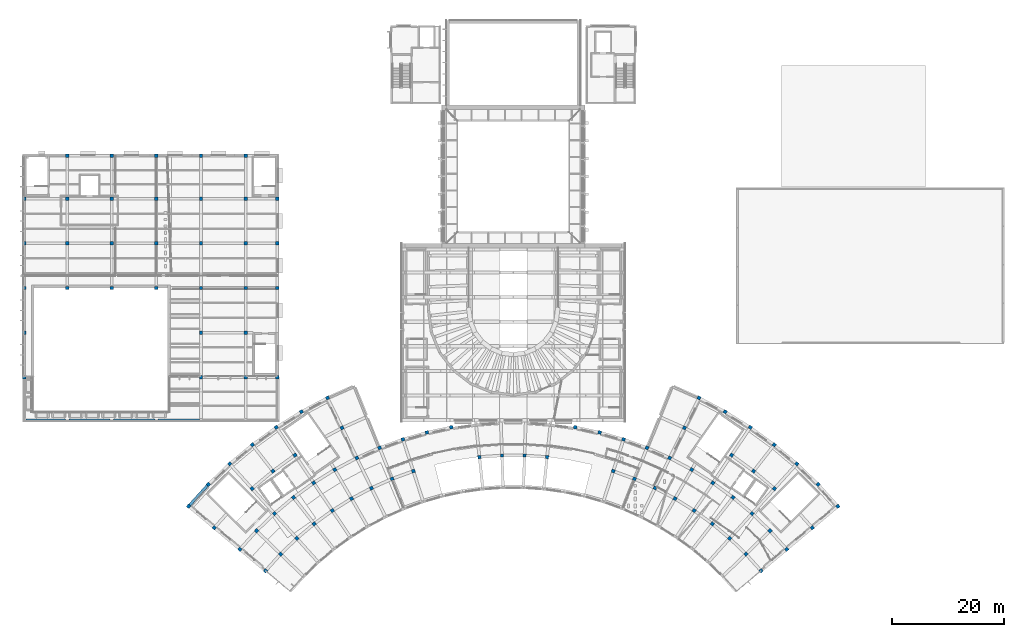
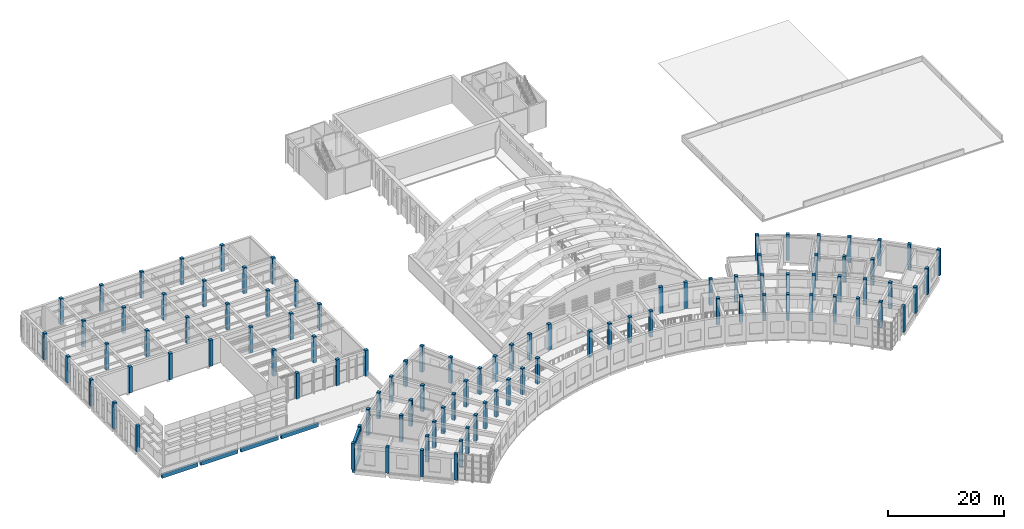
# One storey, part 1 of 94: 101 columns, 6 beams.
"""IFC4 building model written with IfcOpenShell, lengths in metres."""

from ifc_helpers import new_model, si_unit, direction, frame, origin, origin_2d, place, context, subcontext, project, spatial, rectangle, extrude, material, material_profile, profile_set, type_object, element, save


model = new_model("IFC4")

# Units and contexts
model_context = context("Model", 3, precision=1e-05, world=origin(), true_north=direction((0.0, 1.0)))
body_context = subcontext(model_context, "Body", "Model", "MODEL_VIEW")
ifc_project = project(units=[si_unit("LENGTHUNIT", "METRE"), si_unit("AREAUNIT", "SQUARE_METRE"), si_unit("VOLUMEUNIT", "CUBIC_METRE"), si_unit("PLANEANGLEUNIT", "RADIAN"), si_unit("MASSUNIT", "GRAM", prefix="KILO")], contexts=[model_context])

# Site, building, storey
site_placement = place(None, origin())
site = spatial("IfcSite", under=ifc_project, at=site_placement, CompositionType="ELEMENT")
building_placement = place(site_placement, origin())
building = spatial("IfcBuilding", under=site, at=building_placement, Name="Lunette Opera House", CompositionType="ELEMENT")
storey_placement = place(building_placement, frame((0.0, 0.0, 22.5)))
storey = spatial("IfcBuildingStorey", under=building, at=storey_placement, Name="L04", CompositionType="ELEMENT", Elevation=22.5)

# Columns
ifc_material_1 = material(Name="Concrete C35/45", Category="concrete")
ifc_material_profile_1 = material_profile(ifc_material_1, rectangle(XDim=0.60009765625, YDim=0.60009765625, at=origin_2d()), Name="RC COLUMN 600X600")
ifc_profile_set_1 = profile_set([ifc_material_profile_1], Name="Concrete C35/45")
column_type = type_object("IfcColumnType", Name="RC COLUMN 600X600", PredefinedType="COLUMN", material=ifc_profile_set_1)
for number, where, z_axis, x_axis, name in (
    (1, (51.569091796875, 37.281982421875, 0.0), (0.0, 0.0, 1.0), (0.642787609687, 0.766044443119, 0.0), "col-FC-L04-AR-M1-RL-01"),
    (2, (54.278076171875, 40.2900390625, 0.0), (0.0, 0.0, 1.0), (0.694658370459, 0.719339800339, 0.0), "col-FC-L04-AR-M1-RL-02"),
    (3, (57.18994140625, 43.10205078125, 0.0), (0.0, 0.0, 1.0), (0.743144825477, 0.669130606359, 0.0), "col-FC-L04-AR-M1-RL-03"),
    (4, (60.2919921875, 45.705078125, 0.0), (0.0, 0.0, 1.0), (0.788010753607, 0.615661475326, 0.0), "col-FC-L04-AR-M1-RL-04"),
    (5, (63.56689453125, 48.083984375, 0.0), (0.0, 0.0, 1.0), (0.829037572555, 0.559192903471, 0.0), "col-FC-L04-AR-M1-RL-05"),
    (6, (67.0, 50.22900390625, 0.0), (0.0, 0.0, 1.0), (0.866025403784, 0.5, 0.0), "col-FC-L04-AR-M1-RL-06"),
    (7, (70.573974609375, 52.1298828125, 0.0), (0.0, 0.0, 1.0), (0.898794046299, 0.438371146789, 0.0), "col-FC-L04-AR-M1-RL-07"),
    (8, (74.27294921875, 53.777099609375, 0.0), (0.0, 0.0, 1.0), (0.927183854567, 0.374606593416, 0.0), "col-FC-L04-AR-M1-RL-08"),
    (9, (78.076904296875, 55.160888671875, 0.0), (0.0, 0.0, 1.0), (0.951056516295, 0.309016994375, 0.0), "col-FC-L04-AR-M1-RL-09"),
    (10, (89.93701171875, 57.681884765625, 0.0), (0.0, 0.0, 1.0), (0.994521895368, 0.104528463268, 0.0), "col-FC-L04-AR-M1-RL-12"),
    (11, (93.97607421875, 57.965087890625, 0.0), (0.0, 0.0, 1.0), (0.999390827019, 0.034899496703, 0.0), "col-FC-L04-AR-M1-RL-13"),
    (12, (98.02392578125, 57.965087890625, 0.0), (0.0, 0.0, 1.0), (0.999390827019, -0.034899496703, 0.0), "col-FC-L04-AR-M1-RL-14"),
    (13, (102.06298828125, 57.681884765625, 0.0), (0.0, 0.0, 1.0), (0.994521895368, -0.104528463268, 0.0), "col-FC-L04-AR-M1-RL-15"),
    (14, (113.923095703125, 55.160888671875, 0.0), (0.0, 0.0, 1.0), (0.951056516295, -0.309016994375, 0.0), "col-FC-L04-AR-M1-RL-18"),
    (15, (117.72705078125, 53.777099609375, 0.0), (0.0, 0.0, 1.0), (0.927183854567, -0.374606593416, 0.0), "col-FC-L04-AR-M1-RL-19"),
    (16, (121.426025390625, 52.1298828125, 0.0), (0.0, 0.0, 1.0), (0.898794046299, -0.438371146789, 0.0), "col-FC-L04-AR-M1-RL-20"),
    (17, (125.0, 50.22900390625, 0.0), (0.0, 0.0, 1.0), (0.866025403784, -0.5, 0.0), "col-FC-L04-AR-M1-RL-21"),
    (18, (128.43310546875, 48.083984375, 0.0), (0.0, 0.0, 1.0), (0.829037572555, -0.559192903471, 0.0), "col-FC-L04-AR-M1-RL-22"),
    (19, (131.7080078125, 45.705078125, 0.0), (0.0, 0.0, 1.0), (0.788010753607, -0.615661475326, 0.0), "col-FC-L04-AR-M1-RL-23"),
    (20, (134.81005859375, 43.10205078125, 0.0), (0.0, 0.0, 1.0), (0.743144825477, -0.669130606359, 0.0), "col-FC-L04-AR-M1-RL-24"),
    (21, (137.721923828125, 40.2900390625, 0.0), (0.0, 0.0, 1.0), (0.694658370459, -0.719339800339, 0.0), "col-FC-L04-AR-M1-RL-25"),
    (22, (140.430908203125, 37.281982421875, 0.0), (0.0, 0.0, 1.0), (0.642787609687, -0.766044443119, 0.0), "col-FC-L04-AR-M1-RL-26"),
    (23, (46.972900390625, 41.137939453125, 0.0), (0.0, 0.0, 1.0), (0.642787609687, 0.766044443119, 0.0), "col-FC-L04-AR-B-RL-01"),
    (24, (49.9619140625, 44.4580078125, 0.0), (0.0, 0.0, 1.0), (0.694658370459, 0.719339800339, 0.0), "col-FC-L04-AR-B-RL-02"),
    (25, (53.176025390625, 47.56103515625, 0.0), (0.0, 0.0, 1.0), (0.743144825477, 0.669130606359, 0.0), "col-FC-L04-AR-B-RL-03"),
    (26, (56.597900390625, 50.43310546875, 0.0), (0.0, 0.0, 1.0), (0.788010753607, 0.615661475326, 0.0), "col-FC-L04-AR-B-RL-04"),
    (27, (60.2119140625, 53.05810546875, 0.0), (0.0, 0.0, 1.0), (0.829037572555, 0.559192903471, 0.0), "col-FC-L04-AR-B-RL-05"),
    (28, (64.0, 55.426025390625, 0.0), (0.0, 0.0, 1.0), (0.866025403784, 0.5, 0.0), "col-FC-L04-AR-B-RL-06"),
    (29, (67.944091796875, 57.52294921875, 0.0), (0.0, 0.0, 1.0), (0.898794046299, 0.438371146789, 0.0), "col-FC-L04-AR-B-RL-07"),
    (30, (72.02490234375, 59.340087890625, 0.0), (0.0, 0.0, 1.0), (0.927183854567, 0.374606593416, 0.0), "col-FC-L04-AR-B-RL-08"),
    (31, (76.222900390625, 60.867919921875, 0.0), (0.0, 0.0, 1.0), (0.951056516295, 0.309016994375, 0.0), "col-FC-L04-AR-B-RL-09"),
    (32, (80.51708984375, 62.09912109375, 0.0), (0.0, 0.0, 1.0), (0.970295726276, 0.2419218956, 0.0), "col-FC-L04-AR-B-RL-10"),
    (33, (84.886962890625, 63.028076171875, 0.0), (0.0, 0.0, 1.0), (0.984807753012, 0.173648177667, 0.0), "col-FC-L04-AR-B-RL-11"),
    (34, (107.113037109375, 63.028076171875, 0.0), (0.0, 0.0, 1.0), (0.984807753012, -0.173648177667, 0.0), "col-FC-L04-AR-B-RL-16"),
    (35, (111.48291015625, 62.09912109375, 0.0), (0.0, 0.0, 1.0), (0.970295726276, -0.2419218956, 0.0), "col-FC-L04-AR-B-RL-17"),
    (36, (115.777099609375, 60.867919921875, 0.0), (0.0, 0.0, 1.0), (0.951056516295, -0.309016994375, 0.0), "col-FC-L04-AR-B-RL-18"),
    (37, (119.97509765625, 59.340087890625, 0.0), (0.0, 0.0, 1.0), (0.927183854567, -0.374606593416, 0.0), "col-FC-L04-AR-B-RL-19"),
    (38, (124.055908203125, 57.52294921875, 0.0), (0.0, 0.0, 1.0), (0.898794046299, -0.438371146789, 0.0), "col-FC-L04-AR-B-RL-20"),
    (39, (128.0, 55.426025390625, 0.0), (0.0, 0.0, 1.0), (0.866025403784, -0.5, 0.0), "col-FC-L04-AR-B-RL-21"),
    (40, (131.7880859375, 53.05810546875, 0.0), (0.0, 0.0, 1.0), (0.829037572555, -0.559192903471, 0.0), "col-FC-L04-AR-B-RL-22"),
    (41, (135.402099609375, 50.43310546875, 0.0), (0.0, 0.0, 1.0), (0.788010753607, -0.615661475326, 0.0), "col-FC-L04-AR-B-RL-23"),
    (42, (138.823974609375, 47.56103515625, 0.0), (0.0, 0.0, 1.0), (0.743144825477, -0.669130606359, 0.0), "col-FC-L04-AR-B-RL-24"),
    (43, (142.0380859375, 44.4580078125, 0.0), (0.0, 0.0, 1.0), (0.694658370459, -0.719339800339, 0.0), "col-FC-L04-AR-B-RL-25"),
    (44, (145.027099609375, 41.137939453125, 0.0), (0.0, 0.0, 1.0), (0.642787609687, -0.766044443119, 0.0), "col-FC-L04-AR-B-RL-26"),
    (45, (42.376953125, 44.9951171875, 0.0), (0.0, 0.0, 1.0), (0.642787609687, 0.766044443119, 0.0), "col-FC-L04-AR-M2-RL-01"),
    (46, (49.160888671875, 52.02001953125, 0.0), (0.0, 0.0, 1.0), (0.743144825477, 0.669130606359, 0.0), "col-FC-L04-AR-M2-RL-03"),
    (47, (52.904052734375, 55.160888671875, 0.0), (0.0, 0.0, 1.0), (0.788010753607, 0.615661475326, 0.0), "col-FC-L04-AR-M2-RL-04"),
    (48, (56.85595703125, 58.032958984375, 0.0), (0.0, 0.0, 1.0), (0.829037572555, 0.559192903471, 0.0), "col-FC-L04-AR-M2-RL-05"),
    (49, (65.31396484375, 62.916015625, 0.0), (0.0, 0.0, 1.0), (0.898794046299, 0.438371146789, 0.0), "col-FC-L04-AR-M2-RL-07"),
    (50, (126.68603515625, 62.916015625, 0.0), (0.0, 0.0, 1.0), (0.898794046299, -0.438371146789, 0.0), "col-FC-L04-AR-M2-RL-20"),
    (51, (135.14404296875, 58.032958984375, 0.0), (0.0, 0.0, 1.0), (0.829037572555, -0.559192903471, 0.0), "col-FC-L04-AR-M2-RL-22"),
    (52, (139.095947265625, 55.160888671875, 0.0), (0.0, 0.0, 1.0), (0.788010753607, -0.615661475326, 0.0), "col-FC-L04-AR-M2-RL-23"),
    (53, (142.839111328125, 52.02001953125, 0.0), (0.0, 0.0, 1.0), (0.743144825477, -0.669130606359, 0.0), "col-FC-L04-AR-M2-RL-24"),
    (54, (149.623046875, 44.9951171875, 0.0), (0.0, 0.0, 1.0), (0.642787609687, -0.766044443119, 0.0), "col-FC-L04-AR-M2-RL-26"),
    (55, (37.781005859375, 48.85205078125, 0.0), (0.0, 0.0, 1.0), (0.642787609687, 0.766044443119, 0.0), "col-FC-L04-AR-C-RL-01"),
    (56, (41.330078125, 52.7939453125, 0.0), (0.0, 0.0, 1.0), (0.694658370459, 0.719339800339, 0.0), "col-FC-L04-AR-C-RL-02"),
    (57, (45.14599609375, 56.47900390625, 0.0), (0.0, 0.0, 1.0), (0.743144825477, 0.669130606359, 0.0), "col-FC-L04-AR-C-RL-03"),
    (58, (49.2099609375, 59.888916015625, 0.0), (0.0, 0.0, 1.0), (0.788010753607, 0.615661475326, 0.0), "col-FC-L04-AR-C-RL-04"),
    (59, (53.5009765625, 63.007080078125, 0.0), (0.0, 0.0, 1.0), (0.829037572555, 0.559192903471, 0.0), "col-FC-L04-AR-C-RL-05"),
    (60, (58.0, 65.818115234375, 0.0), (0.0, 0.0, 1.0), (0.866025403784, 0.5, 0.0), "col-FC-L04-AR-C-RL-06"),
    (61, (62.68408203125, 68.30810546875, 0.0), (0.0, 0.0, 1.0), (0.898794046299, 0.438371146789, 0.0), "col-FC-L04-AR-C-RL-07"),
    (62, (129.31591796875, 68.30810546875, 0.0), (0.0, 0.0, 1.0), (0.898794046299, -0.438371146789, 0.0), "col-FC-L04-AR-C-RL-20"),
    (63, (134.0, 65.818115234375, 0.0), (0.0, 0.0, 1.0), (0.866025403784, -0.5, 0.0), "col-FC-L04-AR-C-RL-21"),
    (64, (138.4990234375, 63.007080078125, 0.0), (0.0, 0.0, 1.0), (0.829037572555, -0.559192903471, 0.0), "col-FC-L04-AR-C-RL-22"),
    (65, (142.7900390625, 59.888916015625, 0.0), (0.0, 0.0, 1.0), (0.788010753607, -0.615661475326, 0.0), "col-FC-L04-AR-C-RL-23"),
    (66, (146.85400390625, 56.47900390625, 0.0), (0.0, 0.0, 1.0), (0.743144825477, -0.669130606359, 0.0), "col-FC-L04-AR-C-RL-24"),
    (67, (150.669921875, 52.7939453125, 0.0), (0.0, 0.0, 1.0), (0.694658370459, -0.719339800339, 0.0), "col-FC-L04-AR-C-RL-25"),
    (68, (154.218994140625, 48.85205078125, 0.0), (0.0, 0.0, 1.0), (0.642787609687, -0.766044443119, 0.0), "col-FC-L04-AR-C-RL-26"),
    (69, (8.300048828125, 72.0, 0.0), (0.0, 0.0, 1.0), (1.0, 0.0, 0.0), "col-RW-L04-C01"),
    (70, (8.300048828125, 80.0, 0.0), (0.0, 0.0, 1.0), (1.0, 0.0, 0.0), "col-RW-L04-C02"),
    (71, (8.300048828125, 88.0, 0.0), (0.0, 0.0, 1.0), (1.0, 0.0, 0.0), "col-RW-L04-C03"),
    (72, (8.300048828125, 96.0, 0.0), (0.0, 0.0, 1.0), (1.0, 0.0, 0.0), "col-RW-L04-C04"),
    (73, (8.300048828125, 104.0, 0.0), (0.0, 0.0, 1.0), (1.0, 0.0, 0.0), "col-RW-L04-C05"),
    (74, (16.0, 88.0, 0.0), (0.0, 0.0, 1.0), (1.0, 0.0, 0.0), "col-RW-L04-C13"),
    (75, (16.0, 96.0, 0.0), (0.0, 0.0, 1.0), (1.0, 0.0, 0.0), "col-RW-L04-C14"),
    (76, (16.0, 104.0, 0.0), (0.0, 0.0, 1.0), (1.0, 0.0, 0.0), "col-RW-L04-C15"),
    (77, (16.0, 111.699951171875, 0.0), (0.0, 0.0, 1.0), (1.0, 0.0, 0.0), "col-RW-L04-C16"),
    (78, (24.0, 88.0, 0.0), (0.0, 0.0, 1.0), (1.0, 0.0, 0.0), "col-RW-L04-C23"),
    (79, (24.0, 96.0, 0.0), (0.0, 0.0, 1.0), (1.0, 0.0, 0.0), "col-RW-L04-C24"),
    (80, (24.0, 104.0, 0.0), (0.0, 0.0, 1.0), (1.0, 0.0, 0.0), "col-RW-L04-C25"),
    (81, (24.0, 111.699951171875, 0.0), (0.0, 0.0, 1.0), (1.0, 0.0, 0.0), "col-RW-L04-C26"),
    (82, (32.0, 88.0, 0.0), (0.0, 0.0, 1.0), (1.0, 0.0, 0.0), "col-RW-L04-C33"),
    (83, (32.0, 96.0, 0.0), (0.0, 0.0, 1.0), (1.0, 0.0, 0.0), "col-RW-L04-C34"),
    (84, (32.0, 104.0, 0.0), (0.0, 0.0, 1.0), (1.0, 0.0, 0.0), "col-RW-L04-C35"),
    (85, (32.0, 111.699951171875, 0.0), (0.0, 0.0, 1.0), (1.0, 0.0, 0.0), "col-RW-L04-C36"),
    (86, (40.0, 72.0, 0.0), (0.0, 0.0, 1.0), (1.0, 0.0, 0.0), "col-RW-L04-C41"),
    (87, (40.0, 80.0, 0.0), (0.0, 0.0, 1.0), (1.0, 0.0, 0.0), "col-RW-L04-C42"),
    (88, (40.0, 88.0, 0.0), (0.0, 0.0, 1.0), (1.0, 0.0, 0.0), "col-RW-L04-C43"),
    (89, (40.0, 96.0, 0.0), (0.0, 0.0, 1.0), (1.0, 0.0, 0.0), "col-RW-L04-C44"),
    (90, (40.0, 104.0, 0.0), (0.0, 0.0, 1.0), (1.0, 0.0, 0.0), "col-RW-L04-C45"),
    (91, (40.0, 111.699951171875, 0.0), (0.0, 0.0, 1.0), (1.0, 0.0, 0.0), "col-RW-L04-C46"),
    (92, (48.0, 72.0, 0.0), (0.0, 0.0, 1.0), (1.0, 0.0, 0.0), "col-RW-L04-C51"),
    (93, (48.0, 80.0, 0.0), (0.0, 0.0, 1.0), (1.0, 0.0, 0.0), "col-RW-L04-C52"),
    (94, (48.0, 88.0, 0.0), (0.0, 0.0, 1.0), (1.0, 0.0, 0.0), "col-RW-L04-C53"),
    (95, (48.0, 96.0, 0.0), (0.0, 0.0, 1.0), (1.0, 0.0, 0.0), "col-RW-L04-C54"),
    (96, (48.0, 104.0, 0.0), (0.0, 0.0, 1.0), (1.0, 0.0, 0.0), "col-RW-L04-C55"),
    (97, (48.0, 111.699951171875, 0.0), (0.0, 0.0, 1.0), (1.0, 0.0, 0.0), "col-RW-L04-C56"),
    (98, (53.699951171875, 72.0, 0.0), (0.0, 0.0, 1.0), (1.0, 0.0, 0.0), "col-RW-L04-C61"),
    (99, (53.699951171875, 88.0, 0.0), (0.0, 0.0, 1.0), (1.0, 0.0, 0.0), "col-RW-L04-C63"),
    (100, (53.699951171875, 96.0, 0.0), (0.0, 0.0, 1.0), (1.0, 0.0, 0.0), "col-RW-L04-C64"),
    (101, (53.699951171875, 104.0, 0.0), (0.0, 0.0, 1.0), (1.0, 0.0, 0.0), "col-RW-L04-C65"),
):
    element("IfcColumn", number, at=place(storey_placement, frame(where, z_axis=z_axis, x_axis=x_axis)), inside=storey, type_object=column_type, Name=name, PredefinedType="COLUMN", context=body_context, shape_type="SweptSolid", body=[
        extrude(rectangle(XDim=0.60009765625, YDim=0.60009765625, at=origin_2d()), origin(), (0.0, 0.0, 1.0), 5.5),
    ])

# Beams
ifc_material_2 = material(Name="Concrete C35/45", Category="concrete")
ifc_material_profile_2 = material_profile(ifc_material_2, rectangle(XDim=0.449951171875, YDim=0.800048828125, at=origin_2d()), Name="RC BEAM 450X800")
ifc_profile_set_2 = profile_set([ifc_material_profile_2], Name="Concrete C35/45")
beam_type_1 = type_object("IfcBeamType", Name="RC BEAM 450X800", PredefinedType="BEAM", material=ifc_profile_set_2)
beam_placement = place(storey_placement, frame((8.590087890625, 64.300048828125, -0.64990234375), z_axis=(1.0, 0.0, 0.0), x_axis=(0.0, 1.0, 0.0)))
element("IfcBeam", 102, at=beam_placement, inside=storey, type_object=beam_type_1, Name="beam-RW-L04-L04-GX00", PredefinedType="BEAM", context=body_context, shape_type="SweptSolid", body=[
    extrude(rectangle(XDim=0.449951171875, YDim=0.800048828125, at=origin_2d()), origin(), (0.0, 0.0, 1.0), 7.119873046875),
])
for number, where, z_axis, x_axis, name in (
    (103, (16.2900390625, 64.300048828125, -0.64990234375), (1.0, 0.0, 0.0), (0.0, 1.0, 0.0), "beam-RW-L04-L04-GX10"),
    (104, (24.2900390625, 64.300048828125, -0.64990234375), (1.0, 0.0, 0.0), (0.0, 1.0, 0.0), "beam-RW-L04-L04-GX20"),
    (105, (32.2900390625, 64.300048828125, -0.64990234375), (1.0, 0.0, 0.0), (0.0, 1.0, 0.0), "beam-RW-L04-L04-GX30"),
):
    element("IfcBeam", number, at=place(storey_placement, frame(where, z_axis=z_axis, x_axis=x_axis)), inside=storey, type_object=beam_type_1, Name=name, PredefinedType="BEAM", context=body_context, shape_type="SweptSolid", body=[
        extrude(rectangle(XDim=0.449951171875, YDim=0.800048828125, at=origin_2d()), origin(), (0.0, 0.0, 1.0), 7.419921875),
    ])
ifc_material_3 = material(Name="Concrete C35/45", Category="concrete")
ifc_material_profile_3 = material_profile(ifc_material_3, rectangle(XDim=0.5, YDim=0.800048828125, at=origin_2d()), Name="RC BEAM 500X800")
ifc_profile_set_3 = profile_set([ifc_material_profile_3], Name="Concrete C35/45")
beam_type_2 = type_object("IfcBeamType", Name="RC BEAM 500X800", PredefinedType="BEAM", material=ifc_profile_set_3)
for number, where, z_axis, x_axis, name in (
    (106, (37.97509765625, 49.068115234375, -0.6201171875), (0.66921028661, 0.743073073322, 0.0), (-0.743073073322, 0.66921028661, 0.0), "beam-FC-L04-L04-RG-AR-C-RL-01"),
    (107, (37.97509765625, 49.068115234375, 4.85009765625), (0.66921028661, 0.743073073322, 0.0), (-0.743073073322, 0.66921028661, 0.0), "beam-FC-L04-RF-RG-AR-C-RL-01"),
):
    element("IfcBeam", number, at=place(storey_placement, frame(where, z_axis=z_axis, x_axis=x_axis)), inside=storey, type_object=beam_type_2, Name=name, PredefinedType="BEAM", context=body_context, shape_type="SweptSolid", body=[
        extrude(rectangle(XDim=0.5, YDim=0.800048828125, at=origin_2d()), origin(), (0.0, 0.0, 1.0), 4.723388671875),
    ])

save(model, "model.ifc")
